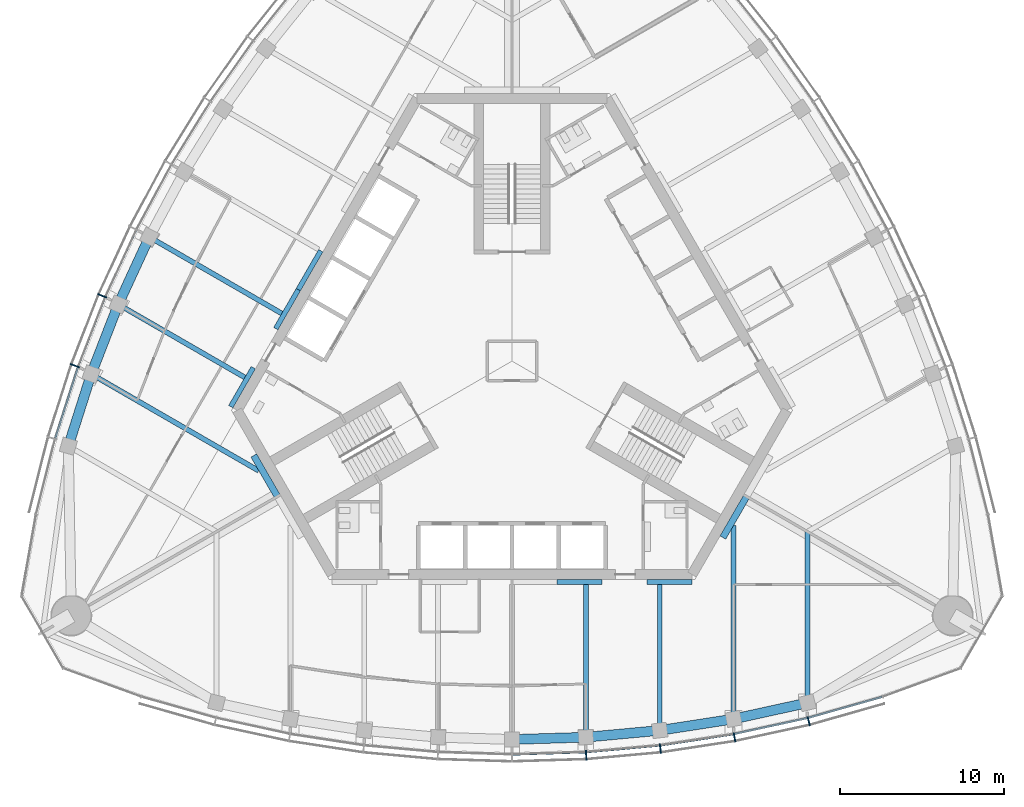
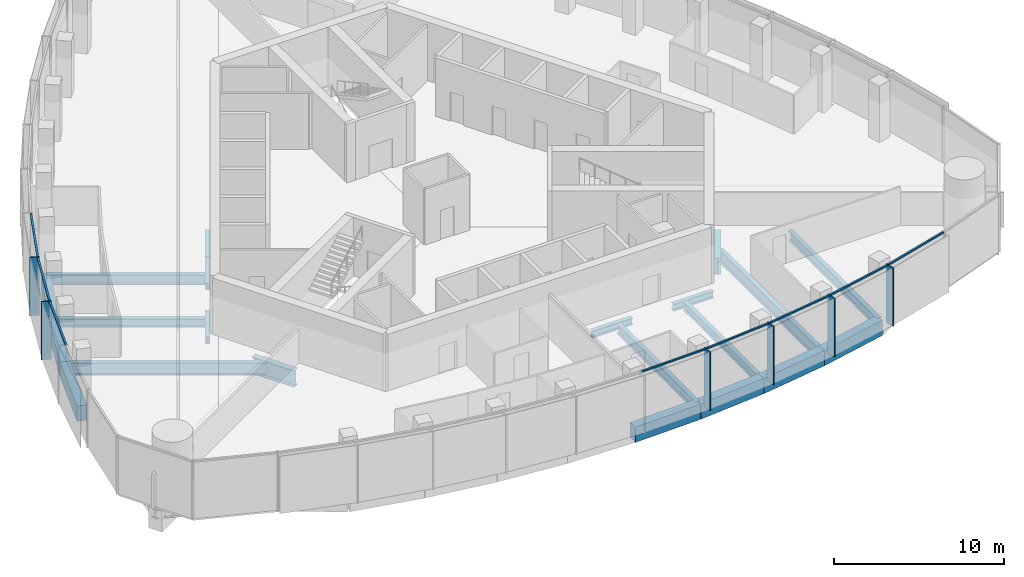
# One storey, part 3 of 16: 21 beams, 14 members, 2 elements without a shape of their own.
"""IFC4 building model written with IfcOpenShell, lengths in metres."""

from ifc_helpers import new_model, si_unit, direction, frame, origin, origin_2d, place, context, subcontext, project, spatial, rectangle, i_section, extrude, material, material_profile, profile_set, type_object, element, aggregate, save


model = new_model("IFC4")

# Units and contexts
model_context = context("Model", 3, precision=1e-05, world=origin(), true_north=direction((0.0, 1.0)))
body_context = subcontext(model_context, "Body", "Model", "MODEL_VIEW")
ifc_project = project(units=[si_unit("LENGTHUNIT", "METRE"), si_unit("AREAUNIT", "SQUARE_METRE"), si_unit("VOLUMEUNIT", "CUBIC_METRE"), si_unit("PLANEANGLEUNIT", "RADIAN"), si_unit("MASSUNIT", "GRAM", prefix="KILO")], contexts=[model_context])

# Site, building, storey
site_placement = place(None, origin())
site = spatial("IfcSite", under=ifc_project, at=site_placement, CompositionType="ELEMENT")
building_placement = place(site_placement, origin())
building = spatial("IfcBuilding", under=site, at=building_placement, Name="Trefoil Bronze Tower", CompositionType="ELEMENT")
storey_placement = place(building_placement, frame((0.0, 0.0, 309.89990234375)))
storey = spatial("IfcBuildingStorey", under=building, at=storey_placement, Name="L71", CompositionType="ELEMENT", Elevation=309.89990234375)

# Curtain wall, members
ifc_material_1 = material(Name="Tinted solar-control glass", Category="glass")
curtain_wall_type = type_object("IfcCurtainWallType", Name="Bronze office curtain wall", PredefinedType="USERDEFINED", material=ifc_material_1)
curtain_wall_1_placement = place(storey_placement, origin())
curtain_wall_1 = element("IfcCurtainWall", 1, at=curtain_wall_1_placement, inside=storey, type_object=curtain_wall_type, Name="CW-A L71 F1", ObjectType="CURTAIN WALL", PredefinedType="USERDEFINED")
ifc_material_2 = material(Name="Bronze-finish aluminium", Category="aluminium")
ifc_material_profile_1 = material_profile(ifc_material_2, rectangle(XDim=0.60009765625, YDim=0.080078125, at=origin_2d()), Name="CW-A mullion")
ifc_profile_set_1 = profile_set([ifc_material_profile_1], Name="Bronze-finish aluminium")
member_type_1 = type_object("IfcMemberType", Name="Bronze office curtain wall mullion", PredefinedType="MULLION", material=ifc_profile_set_1)
member_1_placement = place(storey_placement, frame((4.51806640625, -24.014892578125, 0.0), z_axis=(0.0, 0.0, 1.0), x_axis=(-0.060554040199, 0.998164920349, 0.0)))
member_1 = element("IfcMember", 2, at=member_1_placement, type_object=member_type_1, Name="CW-A L71 F1 mullion 7", PredefinedType="MULLION", context=body_context, shape_type="SweptSolid", body=[
    extrude(rectangle(XDim=0.60009765625, YDim=0.080078125, at=origin_2d()), origin(), (0.0, 0.0, 1.0), 4.18017578125),
])
member_2_placement = place(storey_placement, frame((9.036376953125, -23.602783203125, 0.0), z_axis=(0.0, 0.0, 1.0), x_axis=(-0.121109330868, 0.992639174109, 0.0)))
member_2 = element("IfcMember", 3, at=member_2_placement, type_object=member_type_1, Name="CW-A L71 F1 mullion 8", PredefinedType="MULLION", context=body_context, shape_type="SweptSolid", body=[
    extrude(rectangle(XDim=0.60009765625, YDim=0.080078125, at=origin_2d()), origin(), (0.0, 0.0, 1.0), 4.18017578125),
])
member_3_placement = place(storey_placement, frame((13.554443359375, -22.911376953125, 0.0), z_axis=(0.0, 0.0, 1.0), x_axis=(-0.181667218242, 0.983360067227, 0.0)))
member_3 = element("IfcMember", 4, at=member_3_placement, type_object=member_type_1, Name="CW-A L71 F1 mullion 9", PredefinedType="MULLION", context=body_context, shape_type="SweptSolid", body=[
    extrude(rectangle(XDim=0.60009765625, YDim=0.080078125, at=origin_2d()), origin(), (0.0, 0.0, 1.0), 4.18017578125),
])
member_4_placement = place(storey_placement, frame((18.07275390625, -21.931884765625, 0.0), z_axis=(0.0, 0.0, 1.0), x_axis=(-0.242394494031, 0.97017777199, 0.0)))
member_4 = element("IfcMember", 5, at=member_4_placement, type_object=member_type_1, Name="CW-A L71 F1 mullion 10", PredefinedType="MULLION", context=body_context, shape_type="SweptSolid", body=[
    extrude(rectangle(XDim=0.60009765625, YDim=0.080078125, at=origin_2d()), origin(), (0.0, 0.0, 1.0), 4.18017578125),
])

curtain_wall_2_placement = place(storey_placement, origin())
curtain_wall_2 = element("IfcCurtainWall", 6, at=curtain_wall_2_placement, inside=storey, type_object=curtain_wall_type, Name="CW-A L71 F3", ObjectType="CURTAIN WALL", PredefinedType="USERDEFINED")
member_5_placement = place(storey_placement, frame((-24.958984375, 3.975830078125, 0.0), z_axis=(0.0, 0.0, 1.0), x_axis=(0.920205407004, -0.391435829888, 0.0)))
member_5 = element("IfcMember", 7, at=member_5_placement, type_object=member_type_1, Name="CW-A L71 F3 mullion 8", PredefinedType="MULLION", context=body_context, shape_type="SweptSolid", body=[
    extrude(rectangle(XDim=0.60009765625, YDim=0.080078125, at=origin_2d()), origin(), (0.0, 0.0, 1.0), 4.18017578125),
])
member_6_placement = place(storey_placement, frame((-26.618896484375, -0.282958984375, 0.0), z_axis=(0.0, 0.0, 1.0), x_axis=(0.942448408407, -0.334351607581, 0.0)))
member_6 = element("IfcMember", 8, at=member_6_placement, type_object=member_type_1, Name="CW-A L71 F3 mullion 9", PredefinedType="MULLION", context=body_context, shape_type="SweptSolid", body=[
    extrude(rectangle(XDim=0.60009765625, YDim=0.080078125, at=origin_2d()), origin(), (0.0, 0.0, 1.0), 4.18017578125),
])

# Member
ifc_material_3 = material(Name="Bronze-finish aluminium", Category="aluminium")
ifc_material_profile_2 = material_profile(ifc_material_3, rectangle(XDim=0.1201171875, YDim=0.10009765625, at=origin_2d()), Name="CW-A transom")
ifc_profile_set_2 = profile_set([ifc_material_profile_2], Name="Bronze-finish aluminium")
member_type_2 = type_object("IfcMemberType", Name="Bronze office curtain wall transom", PredefinedType="USERDEFINED", material=ifc_profile_set_2)
member_7_placement = place(storey_placement, frame((0.04296875, -23.950439453125, 4.130126953125), z_axis=(0.99954057115, 0.030309183848, 0.0), x_axis=(-0.030309183848, 0.99954057115, 0.0)))
member_7 = element("IfcMember", 9, at=member_7_placement, type_object=member_type_2, Name="CW-A L71 F1 transom 6", ObjectType="TRANSOM", PredefinedType="USERDEFINED", context=body_context, shape_type="SweptSolid", body=[
    extrude(rectangle(XDim=0.1201171875, YDim=0.10009765625, at=origin_2d()), origin(), (0.0, 0.0, 1.0), 4.422119140625),
])

member_8_placement = place(storey_placement, frame((4.548828125, -23.811279296875, 4.130126953125), z_axis=(0.995868373079, 0.090808499059, 0.0), x_axis=(-0.090808499059, 0.995868373079, 0.0)))
member_8 = element("IfcMember", 10, at=member_8_placement, type_object=member_type_2, Name="CW-A L71 F1 transom 7", ObjectType="TRANSOM", PredefinedType="USERDEFINED", context=body_context, shape_type="SweptSolid", body=[
    extrude(rectangle(XDim=0.1201171875, YDim=0.10009765625, at=origin_2d()), origin(), (0.0, 0.0, 1.0), 4.438720703125),
])

member_9_placement = place(storey_placement, frame((9.0546875, -23.39794921875, 4.130126953125), z_axis=(0.988485016014, 0.151318779787, 0.0), x_axis=(-0.151318779787, 0.988485016014, 0.0)))
member_9 = element("IfcMember", 11, at=member_9_placement, type_object=member_type_2, Name="CW-A L71 F1 transom 8", ObjectType="TRANSOM", PredefinedType="USERDEFINED", context=body_context, shape_type="SweptSolid", body=[
    extrude(rectangle(XDim=0.1201171875, YDim=0.10009765625, at=origin_2d()), origin(), (0.0, 0.0, 1.0), 4.472412109375),
])

member_10_placement = place(storey_placement, frame((13.560302734375, -22.70556640625, 4.130126953125), z_axis=(0.977303780028, 0.211842681117, 0.0), x_axis=(-0.211842681117, 0.977303780028, 0.0)))
member_10 = element("IfcMember", 12, at=member_10_placement, type_object=member_type_2, Name="CW-A L71 F1 transom 9", ObjectType="TRANSOM", PredefinedType="USERDEFINED", context=body_context, shape_type="SweptSolid", body=[
    extrude(rectangle(XDim=0.1201171875, YDim=0.10009765625, at=origin_2d()), origin(), (0.0, 0.0, 1.0), 4.524658203125),
])

member_11_placement = place(storey_placement, frame((18.065673828125, -21.72607421875, 4.130126953125), z_axis=(0.962102611578, 0.272687668944, 0.0), x_axis=(-0.272687668944, 0.962102611578, 0.0)))
member_11 = element("IfcMember", 13, at=member_11_placement, type_object=member_type_2, Name="CW-A L71 F1 transom 10", ObjectType="TRANSOM", PredefinedType="USERDEFINED", context=body_context, shape_type="SweptSolid", body=[
    extrude(rectangle(XDim=0.1201171875, YDim=0.10009765625, at=origin_2d()), origin(), (0.0, 0.0, 1.0), 4.6474609375),
])

aggregate(curtain_wall_1, [member_1, member_2, member_3, member_4, member_7, member_8, member_9, member_10, member_11])

member_12_placement = place(storey_placement, frame((-22.895751953125, 7.966064453125, 4.130126953125), z_axis=(-0.4192988407, -0.907848270466, 0.0), x_axis=(0.907848270466, -0.4192988407, 0.0)))
member_12 = element("IfcMember", 14, at=member_12_placement, type_object=member_type_2, Name="CW-A L71 F3 transom 7", ObjectType="TRANSOM", PredefinedType="USERDEFINED", context=body_context, shape_type="SweptSolid", body=[
    extrude(rectangle(XDim=0.1201171875, YDim=0.10009765625, at=origin_2d()), origin(), (0.0, 0.0, 1.0), 4.4384765625),
])

member_13_placement = place(storey_placement, frame((-24.79052734375, 3.857421875, 4.130126953125), z_axis=(-0.363178486404, -0.931719586042, 0.0), x_axis=(0.931719586042, -0.363178486404, 0.0)))
member_13 = element("IfcMember", 15, at=member_13_placement, type_object=member_type_2, Name="CW-A L71 F3 transom 8", ObjectType="TRANSOM", PredefinedType="USERDEFINED", context=body_context, shape_type="SweptSolid", body=[
    extrude(rectangle(XDim=0.1201171875, YDim=0.10009765625, at=origin_2d()), origin(), (0.0, 0.0, 1.0), 4.472412109375),
])

member_14_placement = place(storey_placement, frame((-26.443603515625, -0.390869140625, 4.130126953125), z_axis=(-0.305198606794, -0.95228872219, 0.0), x_axis=(0.95228872219, -0.305198606794, 0.0)))
member_14 = element("IfcMember", 16, at=member_14_placement, type_object=member_type_2, Name="CW-A L71 F3 transom 9", ObjectType="TRANSOM", PredefinedType="USERDEFINED", context=body_context, shape_type="SweptSolid", body=[
    extrude(rectangle(XDim=0.1201171875, YDim=0.10009765625, at=origin_2d()), origin(), (0.0, 0.0, 1.0), 4.5244140625),
])

aggregate(curtain_wall_2, [member_5, member_6, member_12, member_13, member_14])

# Beams
ifc_material_4 = material(Name="Steel C355", Category="steel")
ifc_material_profile_3 = material_profile(ifc_material_4, i_section(OverallWidth=0.300048828125, OverallDepth=0.5, WebThickness=0.014404296875, FlangeThickness=0.028076171875, FilletRadius=0.027099609375, at=origin_2d()), Name="HEB 500")
ifc_profile_set_3 = profile_set([ifc_material_profile_3], Name="Steel C355")
beam_type_1 = type_object("IfcBeamType", Name="Core seat beam HEB 500", PredefinedType="BEAM", material=ifc_profile_set_3)
for number, where, z_axis, x_axis, name in (
    (17, (2.742431640625, -13.449951171875, -0.449951171875), (1.0, 0.0, 0.0), (0.0, 1.0, 0.0), "Core seat beam F1/+1 L71"),
    (18, (8.227294921875, -13.449951171875, -0.449951171875), (1.0, 0.0, 0.0), (0.0, 1.0, 0.0), "Core seat beam F1/+2 L71"),
    (19, (-11.64794921875, 6.72509765625, -0.449951171875), (-0.500035825175, -0.866004719122, 0.0), (0.866004719122, -0.500035825175, 0.0), "Core seat beam F3/+0 L71"),
    (20, (-13.019287109375, 4.35009765625, -0.449951171875), (-0.499969057507, -0.866043267704, 0.0), (0.866043267704, -0.499969057507, 0.0), "Core seat beam F3/+1 L71"),
    (21, (-15.76171875, -0.39990234375, -0.449951171875), (-0.499969057507, -0.866043267704, 0.0), (0.866043267704, -0.499969057507, 0.0), "Core seat beam F3/+2 L71"),
):
    element("IfcBeam", number, at=place(storey_placement, frame(where, z_axis=z_axis, x_axis=x_axis)), inside=storey, type_object=beam_type_1, Name=name, PredefinedType="BEAM", context=body_context, shape_type="SweptSolid", body=[
        extrude(i_section(OverallWidth=0.300048828125, OverallDepth=0.5, WebThickness=0.014404296875, FlangeThickness=0.028076171875, FilletRadius=0.027099609375, at=origin_2d()), origin(), (0.0, 0.0, 1.0), 2.742431640625),
    ])
ifc_material_5 = material(Name="Steel C355", Category="steel")
ifc_material_profile_4 = material_profile(ifc_material_5, i_section(OverallWidth=0.39990234375, OverallDepth=1.199951171875, WebThickness=0.02001953125, FlangeThickness=0.0400390625, FilletRadius=0.010009765625, at=origin_2d()), Name="WPG 1200")
ifc_profile_set_4 = profile_set([ifc_material_profile_4], Name="Steel C355")
beam_type_2 = type_object("IfcBeamType", Name="Core seat beam WPG 1200", PredefinedType="BEAM", material=ifc_profile_set_4)
beam_1_placement = place(storey_placement, frame((12.845947265625, -10.75, -0.7998046875), z_axis=(0.499995765644, 0.866027848477, 0.0), x_axis=(-0.866027848477, 0.499995765644, 0.0)))
element("IfcBeam", 22, at=beam_1_placement, inside=storey, type_object=beam_type_2, Name="Core seat beam F1/+3 L71", PredefinedType="BEAM", context=body_context, shape_type="SweptSolid", body=[
    extrude(i_section(OverallWidth=0.39990234375, OverallDepth=1.199951171875, WebThickness=0.02001953125, FlangeThickness=0.0400390625, FilletRadius=0.010009765625, at=origin_2d()), origin(), (0.0, 0.0, 1.0), 2.88671875),
])
beam_2_placement = place(storey_placement, frame((-15.73291015625, -5.75, -0.7998046875), z_axis=(0.500059191753, -0.865991226713, 0.0), x_axis=(0.865991226713, 0.500059191753, 0.0)))
element("IfcBeam", 23, at=beam_2_placement, inside=storey, type_object=beam_type_2, Name="Core seat beam F3/+3 L71", PredefinedType="BEAM", context=body_context, shape_type="SweptSolid", body=[
    extrude(i_section(OverallWidth=0.39990234375, OverallDepth=1.199951171875, WebThickness=0.02001953125, FlangeThickness=0.0400390625, FilletRadius=0.010009765625, at=origin_2d()), origin(), (0.0, 0.0, 1.0), 2.886962890625),
])
ifc_material_6 = material(Name="Steel C355", Category="steel")
ifc_material_profile_5 = material_profile(ifc_material_6, i_section(OverallWidth=0.300048828125, OverallDepth=0.60009765625, WebThickness=0.015380859375, FlangeThickness=0.030029296875, FilletRadius=0.027099609375, at=origin_2d()), Name="HEB 600")
ifc_profile_set_5 = profile_set([ifc_material_profile_5], Name="Steel C355")
beam_type_3 = type_object("IfcBeamType", Name="Floor beam HEB 600", PredefinedType="BEAM", material=ifc_profile_set_5)
for number, where, z_axis, x_axis, name in (
    (24, (9.0, -22.499267578125, -0.5), (0.0, 1.0, 0.0), (-1.0, 0.0, 0.0), "Floor beam F1/+2 L71"),
    (25, (-23.98486328125, 3.455322265625, -0.5), (0.866034827411, -0.499983677445, 0.0), (0.499983677445, 0.866034827411, 0.0), "Floor beam F3/+2 L71"),
):
    element("IfcBeam", number, at=place(storey_placement, frame(where, z_axis=z_axis, x_axis=x_axis)), inside=storey, type_object=beam_type_3, Name=name, PredefinedType="BEAM", context=body_context, shape_type="SweptSolid", body=[
        extrude(i_section(OverallWidth=0.300048828125, OverallDepth=0.60009765625, WebThickness=0.015380859375, FlangeThickness=0.030029296875, FilletRadius=0.027099609375, at=origin_2d()), origin(), (0.0, 0.0, 1.0), 8.899169921875),
    ])
ifc_material_7 = material(Name="Steel C355", Category="steel")
ifc_material_profile_6 = material_profile(ifc_material_7, i_section(OverallWidth=0.300048828125, OverallDepth=0.699951171875, WebThickness=0.01708984375, FlangeThickness=0.031982421875, FilletRadius=0.027099609375, at=origin_2d()), Name="HEB 700")
ifc_profile_set_6 = profile_set([ifc_material_profile_6], Name="Steel C355")
beam_type_4 = type_object("IfcBeamType", Name="Floor beam HEB 700", PredefinedType="BEAM", material=ifc_profile_set_6)
beam_3_placement = place(storey_placement, frame((4.5, -22.913818359375, -0.5498046875), z_axis=(0.0, 1.0, 0.0), x_axis=(-1.0, 0.0, 0.0)))
element("IfcBeam", 26, at=beam_3_placement, inside=storey, type_object=beam_type_4, Name="Floor beam F1/+1 L71", PredefinedType="BEAM", context=body_context, shape_type="SweptSolid", body=[
    extrude(i_section(OverallWidth=0.300048828125, OverallDepth=0.699951171875, WebThickness=0.01708984375, FlangeThickness=0.031982421875, FilletRadius=0.027099609375, at=origin_2d()), origin(), (0.0, 0.0, 1.0), 9.313720703125),
])
beam_4_placement = place(storey_placement, frame((18.0, -20.816162109375, -0.5498046875), z_axis=(0.0, 1.0, 0.0), x_axis=(-1.0, 0.0, 0.0)))
element("IfcBeam", 27, at=beam_4_placement, inside=storey, type_object=beam_type_4, Name="Floor beam F1/+4 L71", PredefinedType="BEAM", context=body_context, shape_type="SweptSolid", body=[
    extrude(i_section(OverallWidth=0.300048828125, OverallDepth=0.699951171875, WebThickness=0.01708984375, FlangeThickness=0.031982421875, FilletRadius=0.027099609375, at=origin_2d()), origin(), (0.0, 0.0, 1.0), 10.423828125),
])
beam_5_placement = place(storey_placement, frame((-22.093994140625, 7.559814453125, -0.5498046875), z_axis=(0.866026261222, -0.499998514871, 0.0), x_axis=(0.499998514871, 0.866026261222, 0.0)))
element("IfcBeam", 28, at=beam_5_placement, inside=storey, type_object=beam_type_4, Name="Floor beam F3/+1 L71", PredefinedType="BEAM", context=body_context, shape_type="SweptSolid", body=[
    extrude(i_section(OverallWidth=0.300048828125, OverallDepth=0.699951171875, WebThickness=0.01708984375, FlangeThickness=0.031982421875, FilletRadius=0.027099609375, at=origin_2d()), origin(), (0.0, 0.0, 1.0), 9.31396484375),
])
ifc_material_8 = material(Name="Steel C355", Category="steel")
ifc_material_profile_7 = material_profile(ifc_material_8, i_section(OverallWidth=0.300048828125, OverallDepth=0.89990234375, WebThickness=0.0185546875, FlangeThickness=0.034912109375, FilletRadius=0.030029296875, at=origin_2d()), Name="HEB 900")
ifc_profile_set_7 = profile_set([ifc_material_profile_7], Name="Steel C355")
beam_type_5 = type_object("IfcBeamType", Name="Floor beam HEB 900", PredefinedType="BEAM", material=ifc_profile_set_7)
beam_6_placement = place(storey_placement, frame((13.5, -21.802734375, -0.64990234375), z_axis=(0.0, 1.0, 0.0), x_axis=(-1.0, 0.0, 0.0)))
element("IfcBeam", 29, at=beam_6_placement, inside=storey, type_object=beam_type_5, Name="Floor beam F1/+3 L71", PredefinedType="BEAM", context=body_context, shape_type="SweptSolid", body=[
    extrude(i_section(OverallWidth=0.300048828125, OverallDepth=0.89990234375, WebThickness=0.0185546875, FlangeThickness=0.034912109375, FilletRadius=0.030029296875, at=origin_2d()), origin(), (0.0, 0.0, 1.0), 11.785400390625),
])
beam_7_placement = place(storey_placement, frame((-25.631591796875, -0.7900390625, -0.64990234375), z_axis=(0.866026552003, -0.499998011222, 0.0), x_axis=(0.499998011222, 0.866026552003, 0.0)))
element("IfcBeam", 30, at=beam_7_placement, inside=storey, type_object=beam_type_5, Name="Floor beam F3/+3 L71", PredefinedType="BEAM", context=body_context, shape_type="SweptSolid", body=[
    extrude(i_section(OverallWidth=0.300048828125, OverallDepth=0.89990234375, WebThickness=0.0185546875, FlangeThickness=0.034912109375, FilletRadius=0.030029296875, at=origin_2d()), origin(), (0.0, 0.0, 1.0), 11.78515625),
])
ifc_material_9 = material(Name="Concrete B80", Category="concrete")
ifc_material_profile_8 = material_profile(ifc_material_9, rectangle(XDim=0.60009765625, YDim=1.10009765625, at=origin_2d()), Name="RC 600x1100")
ifc_profile_set_8 = profile_set([ifc_material_profile_8], Name="Concrete B80")
beam_type_6 = type_object("IfcBeamType", Name="Spandrel beam RC 600x1100", PredefinedType="SPANDREL", material=ifc_profile_set_8)
beam_8_placement = place(storey_placement, frame((0.0, -23.051513671875, -0.75), z_axis=(0.999532180362, 0.03058464354, 0.0), x_axis=(-0.03058464354, 0.999532180362, 0.0)))
element("IfcBeam", 31, at=beam_8_placement, inside=storey, type_object=beam_type_6, Name="Spandrel F1.6 L71", PredefinedType="SPANDREL", context=body_context, shape_type="SweptSolid", body=[
    extrude(rectangle(XDim=0.60009765625, YDim=1.10009765625, at=origin_2d()), origin(), (0.0, 0.0, 1.0), 4.502197265625),
])
beam_9_placement = place(storey_placement, frame((4.5, -22.913818359375, -0.75), z_axis=(0.995783550481, 0.091733966402, 0.0), x_axis=(-0.091733966402, 0.995783550481, 0.0)))
element("IfcBeam", 32, at=beam_9_placement, inside=storey, type_object=beam_type_6, Name="Spandrel F1.7 L71", PredefinedType="SPANDREL", context=body_context, shape_type="SweptSolid", body=[
    extrude(rectangle(XDim=0.60009765625, YDim=1.10009765625, at=origin_2d()), origin(), (0.0, 0.0, 1.0), 4.51904296875),
])
beam_10_placement = place(storey_placement, frame((9.0, -22.499267578125, -0.75), z_axis=(0.988231820946, 0.152963616816, 0.0), x_axis=(-0.152963616816, 0.988231820946, 0.0)))
element("IfcBeam", 33, at=beam_10_placement, inside=storey, type_object=beam_type_6, Name="Spandrel F1.8 L71", PredefinedType="SPANDREL", context=body_context, shape_type="SweptSolid", body=[
    extrude(rectangle(XDim=0.60009765625, YDim=1.10009765625, at=origin_2d()), origin(), (0.0, 0.0, 1.0), 4.553466796875),
])
beam_11_placement = place(storey_placement, frame((13.5, -21.802734375, -0.75), z_axis=(0.976800342355, 0.214152028182, 0.0), x_axis=(-0.214152028182, 0.976800342355, 0.0)))
element("IfcBeam", 34, at=beam_11_placement, inside=storey, type_object=beam_type_6, Name="Spandrel F1.9 L71", PredefinedType="SPANDREL", context=body_context, shape_type="SweptSolid", body=[
    extrude(rectangle(XDim=0.60009765625, YDim=1.10009765625, at=origin_2d()), origin(), (0.0, 0.0, 1.0), 4.60693359375),
])
beam_12_placement = place(storey_placement, frame((-22.093994140625, 7.559814453125, -0.75), z_axis=(-0.418417425199, -0.90825484215, 0.0), x_axis=(0.90825484215, -0.418417425199, 0.0)))
element("IfcBeam", 35, at=beam_12_placement, inside=storey, type_object=beam_type_6, Name="Spandrel F3.7 L71", PredefinedType="SPANDREL", context=body_context, shape_type="SweptSolid", body=[
    extrude(rectangle(XDim=0.60009765625, YDim=1.10009765625, at=origin_2d()), origin(), (0.0, 0.0, 1.0), 4.51904296875),
])
beam_13_placement = place(storey_placement, frame((-23.98486328125, 3.455322265625, -0.75), z_axis=(-0.361636286502, -0.932319256631, 0.0), x_axis=(0.932319256631, -0.361636286502, 0.0)))
element("IfcBeam", 36, at=beam_13_placement, inside=storey, type_object=beam_type_6, Name="Spandrel F3.8 L71", PredefinedType="SPANDREL", context=body_context, shape_type="SweptSolid", body=[
    extrude(rectangle(XDim=0.60009765625, YDim=1.10009765625, at=origin_2d()), origin(), (0.0, 0.0, 1.0), 4.553466796875),
])
beam_14_placement = place(storey_placement, frame((-25.631591796875, -0.7900390625, -0.75), z_axis=(-0.302969597344, -0.953000221975, 0.0), x_axis=(0.953000221975, -0.302969597344, 0.0)))
element("IfcBeam", 37, at=beam_14_placement, inside=storey, type_object=beam_type_6, Name="Spandrel F3.9 L71", PredefinedType="SPANDREL", context=body_context, shape_type="SweptSolid", body=[
    extrude(rectangle(XDim=0.60009765625, YDim=1.10009765625, at=origin_2d()), origin(), (0.0, 0.0, 1.0), 4.60693359375),
])

save(model, "model.ifc")
